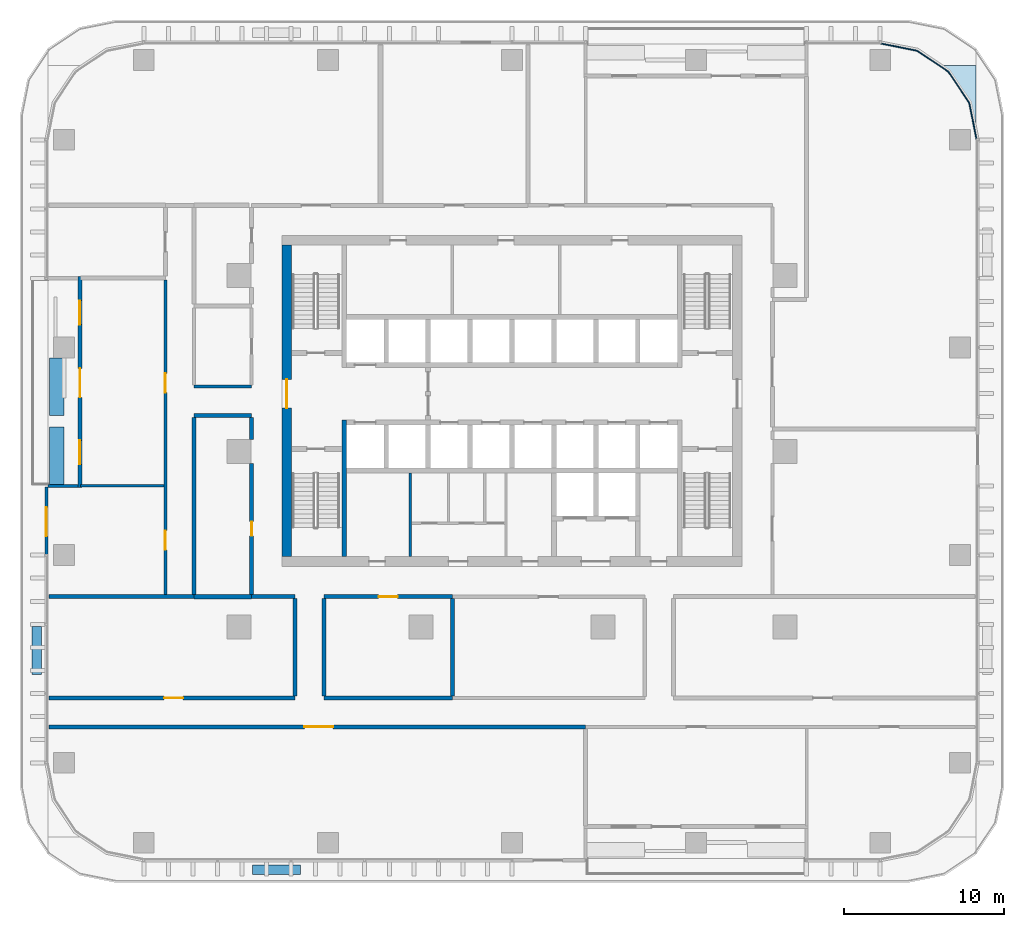
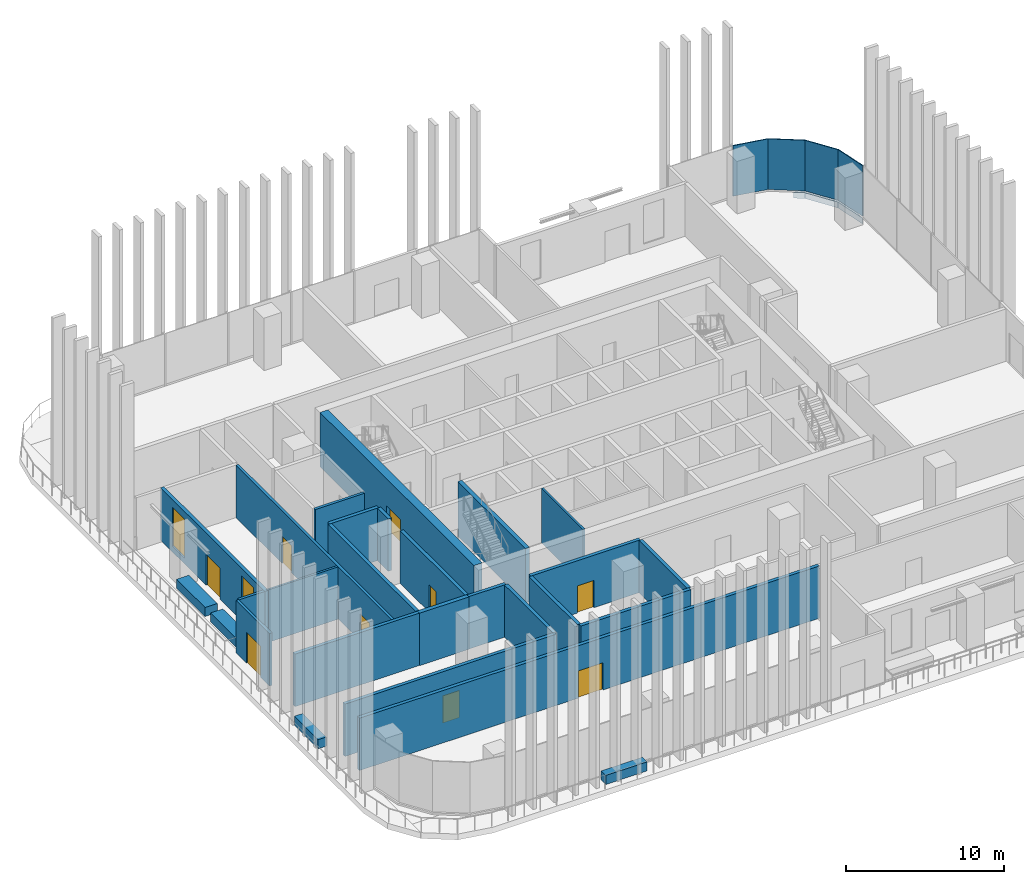
# One storey, part 7 of 18: 27 walls, 9 doors, 2 windows, 1 plate, 1 slab, 11 openings, 1 element without a shape of its own.
"""IFC4 building model written with IfcOpenShell, lengths in metres."""

from ifc_helpers import new_model, si_unit, direction, frame, frame_2d, origin, place, context, subcontext, project, spatial, polyline, rectangle, outline, extrude, material, layer, layer_set, type_object, element, fill, aggregate, save


model = new_model("IFC4")

# Units and contexts
model_context = context("Model", 3, precision=1e-05, world=origin(), true_north=direction((0.0, 1.0)))
body_context = subcontext(model_context, "Body", "Model", "MODEL_VIEW")
ifc_project = project(units=[si_unit("LENGTHUNIT", "METRE"), si_unit("AREAUNIT", "SQUARE_METRE"), si_unit("VOLUMEUNIT", "CUBIC_METRE"), si_unit("PLANEANGLEUNIT", "RADIAN"), si_unit("MASSUNIT", "GRAM", prefix="KILO")], contexts=[model_context])

# Site, building, storey
site_placement = place(None, origin())
site = spatial("IfcSite", under=ifc_project, at=site_placement, CompositionType="ELEMENT")
building_placement = place(site_placement, origin())
building = spatial("IfcBuilding", under=site, at=building_placement, Name="Mopane Tessera Tower", CompositionType="ELEMENT")
storey_placement = place(building_placement, frame((0.0, 0.0, 94.60009765625)))
storey = spatial("IfcBuildingStorey", under=building, at=storey_placement, Name="L18", CompositionType="ELEMENT", Elevation=94.60009765625)

# Curtain wall, plate
ifc_material_1 = material(Name="Aluminium frame", Category="aluminium")
curtain_wall_type = type_object("IfcCurtainWallType", Name="Lower tower unitised wall", PredefinedType="NOTDEFINED", material=ifc_material_1)
curtain_wall_placement = place(storey_placement, origin())
curtain_wall = element("IfcCurtainWall", 1, at=curtain_wall_placement, inside=storey, type_object=curtain_wall_type, Name="e:cw:L18:CE", PredefinedType="NOTDEFINED")
ifc_material_2 = material(Name="Clear laminated glass", Category="glass")
ifc_layer_1 = layer(ifc_material_2, 0.070068359375)
ifc_layer_set_1 = layer_set([ifc_layer_1], Name="Clear laminated glass")
plate_type = type_object("IfcPlateType", Name="Laminated glazed unit 70", PredefinedType="CURTAIN_PANEL", material=ifc_layer_set_1)
plate_placement = place(storey_placement, frame((0.0, 0.0, 0.139892578125)))
plate = element("IfcPlate", 2, at=plate_placement, type_object=plate_type, Name="e:cw:L18:CE:pn", PredefinedType="CURTAIN_PANEL", context=body_context, shape_type="SweptSolid", body=[
    extrude(outline(polyline([(29.050048828125, 19.5), (28.59326171875, 21.796142578125), (27.292724609375, 23.74267578125), (25.34619140625, 25.043212890625), (23.050048828125, 25.5), (23.050048828125, 25.570068359375), (25.372802734375, 25.10791015625), (27.342041015625, 23.792236328125), (28.657958984375, 21.822998046875), (29.1201171875, 19.5), (29.050048828125, 19.5)])), origin(), (0.0, 0.0, 1.0), 3.909912109375),
])
aggregate(curtain_wall, [plate])

# Slab
ifc_material_3 = material(Name="Concrete C40/50", Category="concrete")
ifc_layer_2 = layer(ifc_material_3, 0.449951171875)
ifc_layer_set_2 = layer_set([ifc_layer_2], Name="Concrete C40/50")
slab_type = type_object("IfcSlabType", Name="Setback roof terrace slab 450 mm", PredefinedType="ROOF", material=ifc_layer_set_2)
slab_placement = place(storey_placement, frame((0.0, 0.0, -0.4501953125)))
element("IfcSlab", 3, at=slab_placement, inside=storey, type_object=slab_type, Name="Setback terrace slab L18", PredefinedType="ROOF", context=body_context, shape_type="SweptSolid", body=[
    extrude(outline(polyline([(29.050048828125, 19.5), (29.050048828125, 24.14990234375), (26.68310546875, 24.14990234375), (27.292724609375, 23.74267578125), (28.59326171875, 21.796142578125), (29.050048828125, 19.5)])), origin(), (0.0, 0.0, 1.0), 0.4501953125),
])

# Wall
ifc_material_4 = material(Name="Fire-rated gypsum board partition")
ifc_layer_3 = layer(ifc_material_4, 0.14990234375)
ifc_layer_set_3 = layer_set([ifc_layer_3], Name="Fire-rated gypsum board partition")
wall_type_1 = type_object("IfcWallType", Name="Core room partition 150 mm", PredefinedType="PARTITIONING", material=ifc_layer_set_3)
wall_1_placement = place(storey_placement, frame((-6.375, -6.60009765625, 0.0), z_axis=(0.0, 0.0, 1.0), x_axis=(0.0, 1.0, 0.0)))
element("IfcWall", 4, at=wall_1_placement, inside=storey, type_object=wall_type_1, Name="L18 Room partition", PredefinedType="PARTITIONING", context=body_context, shape_type="SweptSolid", body=[
    extrude(rectangle(XDim=5.25, YDim=0.14990234375, at=frame_2d((2.625, 0.0))), origin(), (0.0, 0.0, 1.0), 4.199951171875),
])

# Wall, opening, door
ifc_material_5 = material(Name="Concrete C70/85", Category="concrete")
ifc_layer_4 = layer(ifc_material_5, 0.60009765625)
ifc_layer_set_4 = layer_set([ifc_layer_4], Name="Concrete C70/85")
wall_type_2 = type_object("IfcWallType", Name="Core shear wall 600 mm", PredefinedType="SHEAR", material=ifc_layer_set_4)
wall_2_placement = place(storey_placement, frame((-14.10009765625, -6.60009765625, 0.0), z_axis=(0.0, 0.0, 1.0), x_axis=(0.0, 1.0, 0.0)))
wall_2 = element("IfcWall", 5, at=wall_2_placement, inside=storey, type_object=wall_type_2, Name="L18 Core wall west", PredefinedType="SHEAR", context=body_context, shape_type="SweptSolid", body=[
    extrude(rectangle(XDim=19.5, YDim=0.60009765625, at=frame_2d((9.75, 0.0))), origin(), (0.0, 0.0, 1.0), 4.199951171875),
])
opening_1_placement = place(wall_2_placement, frame((9.300048828125, 0.0, 0.0)))
opening_1 = element("IfcOpeningElement", 6, at=opening_1_placement, cuts=wall_2, Name="Opening SD2", PredefinedType="OPENING", context=body_context, shape_type="SweptSolid", body=[
    extrude(rectangle(XDim=1.800048828125, YDim=2.10009765625, at=frame_2d((0.89990234375, 1.050048828125))), frame((0.0, 0.31201171875, 0.0), z_axis=(0.0, -1.0, 0.0), x_axis=(1.0, 0.0, 0.0)), (0.0, 0.0, 1.0), 0.6240234375),
])
ifc_material_6 = material(Name="Steel fire door", Category="steel")
door_type_1 = type_object("IfcDoorType", Name="Core entrance double door 1800 x 2100", OperationType="DOUBLE_DOOR_SINGLE_SWING", PredefinedType="DOOR", material=ifc_material_6)
door_1_placement = place(opening_1_placement, origin())
door_1 = element("IfcDoor", 7, at=door_1_placement, inside=storey, type_object=door_type_1, Name="L18 Core entrance door west", OperationType="DOUBLE_DOOR_SINGLE_SWING", OverallHeight=2.10009765625, OverallWidth=1.800048828125, PredefinedType="DOOR", context=body_context, shape_type="SweptSolid", body=[
    extrude(rectangle(XDim=1.800048828125, YDim=2.10009765625, at=frame_2d((0.89990234375, 1.050048828125))), frame((0.0, 0.02490234375, 0.0), z_axis=(0.0, -1.0, 0.0), x_axis=(1.0, 0.0, 0.0)), (0.0, 0.0, 1.0), 0.050048828125),
])
fill(opening_1, door_1)

# Walls
ifc_material_7 = material(Name="Concrete C60/75", Category="concrete")
ifc_layer_5 = layer(ifc_material_7, 0.300048828125)
ifc_layer_set_5 = layer_set([ifc_layer_5], Name="Concrete C60/75")
wall_type_3 = type_object("IfcWallType", Name="Core spine wall 300 mm", PredefinedType="SHEAR", material=ifc_layer_set_5)
wall_3_placement = place(storey_placement, frame((-10.5, -6.60009765625, 0.0), z_axis=(0.0, 0.0, 1.0), x_axis=(0.0, 1.0, 0.0)))
element("IfcWall", 8, at=wall_3_placement, inside=storey, type_object=wall_type_3, Name="L18 Core spine wall", PredefinedType="SHEAR", context=body_context, shape_type="SweptSolid", body=[
    extrude(rectangle(XDim=8.550048828125, YDim=0.300048828125, at=frame_2d((4.27490234375, 0.0))), origin(), (0.0, 0.0, 1.0), 4.199951171875),
])
ifc_material_8 = material(Name="Gypsum board on steel studs, two layers each face, mineral wool infill", Category="steel")
ifc_layer_6 = layer(ifc_material_8, 0.199951171875)
ifc_layer_set_6 = layer_set([ifc_layer_6], Name="Gypsum board on steel studs, two layers each face, mineral wool infill")
wall_type_4 = type_object("IfcWallType", Name="Gypsum board corridor wall 200, rated EI 60", PredefinedType="PARTITIONING", material=ifc_layer_set_6)
wall_4_placement = place(storey_placement, frame((-19.89990234375, 4.050048828125, 0.0), z_axis=(0.0, 0.0, 1.0), x_axis=(1.0, 0.0, 0.0)))
element("IfcWall", 9, at=wall_4_placement, inside=storey, type_object=wall_type_4, Name="Partition L18:015", PredefinedType="PARTITIONING", context=body_context, shape_type="SweptSolid", body=[
    extrude(rectangle(XDim=3.599853515625, YDim=0.199951171875, at=frame_2d((1.7998046875, 0.0))), origin(), (0.0, 0.0, 1.0), 4.0498046875),
])

# Wall, openings, doors
wall_5_placement = place(storey_placement, frame((-21.699951171875, -8.97509765625, 0.0), z_axis=(0.0, 0.0, 1.0), x_axis=(0.0, 1.0, 0.0)))
wall_5 = element("IfcWall", 10, at=wall_5_placement, inside=storey, type_object=wall_type_4, Name="Partition L18:024", PredefinedType="PARTITIONING", context=body_context, shape_type="SweptSolid", body=[
    extrude(rectangle(XDim=19.68505859375, YDim=0.199951171875, at=frame_2d((9.842529296875, 0.0))), origin(), (0.0, 0.0, 1.0), 4.0498046875),
])
opening_2_placement = place(wall_5_placement, frame((2.804931640625, 0.0, 0.0)))
opening_2 = element("IfcOpeningElement", 11, at=opening_2_placement, cuts=wall_5, Name="Opening L18-04", PredefinedType="OPENING", context=body_context, shape_type="SweptSolid", body=[
    extrude(rectangle(XDim=1.199951171875, YDim=2.10009765625, at=frame_2d((0.60009765625, 1.050048828125))), frame((0.0, 0.112060546875, 0.0), z_axis=(0.0, -1.0, 0.0), x_axis=(1.0, 0.0, 0.0)), (0.0, 0.0, 1.0), 0.223876953125),
])
opening_3_placement = place(wall_5_placement, frame((12.6474609375, 0.0, 0.0)))
opening_3 = element("IfcOpeningElement", 12, at=opening_3_placement, cuts=wall_5, Name="Opening L18-15", PredefinedType="OPENING", context=body_context, shape_type="SweptSolid", body=[
    extrude(rectangle(XDim=1.199951171875, YDim=2.10009765625, at=frame_2d((0.60009765625, 1.050048828125))), frame((0.0, 0.112060546875, 0.0), z_axis=(0.0, -1.0, 0.0), x_axis=(1.0, 0.0, 0.0)), (0.0, 0.0, 1.0), 0.223876953125),
])
ifc_material_9 = material(Name="Timber veneered steel-framed fire door", Category="steel")
door_type_2 = type_object("IfcDoorType", Name="Fire door FD60 1200 x 2100", OperationType="SINGLE_SWING_LEFT", PredefinedType="DOOR", material=ifc_material_9)
door_2_placement = place(opening_2_placement, origin())
door_2 = element("IfcDoor", 13, at=door_2_placement, inside=storey, type_object=door_type_2, Name="Door L18-04", ObjectType="D15A", OperationType="SINGLE_SWING_LEFT", OverallHeight=2.10009765625, OverallWidth=1.199951171875, PredefinedType="DOOR", context=body_context, shape_type="SweptSolid", body=[
    extrude(rectangle(XDim=1.199951171875, YDim=2.10009765625, at=frame_2d((0.60009765625, 1.050048828125))), frame((0.0, 0.02490234375, 0.0), z_axis=(0.0, -1.0, 0.0), x_axis=(1.0, 0.0, 0.0)), (0.0, 0.0, 1.0), 0.050048828125),
])
fill(opening_2, door_2)
door_3_placement = place(opening_3_placement, origin())
door_3 = element("IfcDoor", 14, at=door_3_placement, inside=storey, type_object=door_type_2, Name="Door L18-15", ObjectType="D15A", OperationType="SINGLE_SWING_RIGHT", OverallHeight=2.10009765625, OverallWidth=1.199951171875, PredefinedType="DOOR", context=body_context, shape_type="SweptSolid", body=[
    extrude(rectangle(XDim=1.199951171875, YDim=2.10009765625, at=frame_2d((0.60009765625, 1.050048828125))), frame((0.0, 0.02490234375, 0.0), z_axis=(0.0, -1.0, 0.0), x_axis=(1.0, 0.0, 0.0)), (0.0, 0.0, 1.0), 0.050048828125),
])
fill(opening_3, door_3)

# Walls
ifc_material_10 = material(Name="Gypsum board on steel studs, mineral wool infill", Category="steel")
ifc_layer_7 = layer(ifc_material_10, 0.14990234375)
ifc_layer_set_7 = layer_set([ifc_layer_7], Name="Gypsum board on steel studs, mineral wool infill")
wall_type_5 = type_object("IfcWallType", Name="Gypsum board partition 150, rated EI 60", PredefinedType="PARTITIONING", material=ifc_layer_set_7)
wall_6_placement = place(storey_placement, frame((-27.0, -2.1650390625, 0.0), z_axis=(0.0, 0.0, 1.0), x_axis=(1.0, 0.0, 0.0)))
element("IfcWall", 15, at=wall_6_placement, inside=storey, type_object=wall_type_5, Name="Partition L18:012", PredefinedType="PARTITIONING", context=body_context, shape_type="SweptSolid", body=[
    extrude(rectangle(XDim=5.199951171875, YDim=0.14990234375, at=frame_2d((2.60009765625, 0.0))), origin(), (0.0, 0.0, 1.0), 4.0498046875),
])
ifc_material_11 = material(Name="Reinforced concrete C32/40 with waterproofing", Category="concrete")
ifc_layer_8 = layer(ifc_material_11, 0.60009765625)
ifc_layer_set_8 = layer_set([ifc_layer_8], Name="Reinforced concrete C32/40 with waterproofing")
wall_type_6 = type_object("IfcWallType", Name="Planter trough 3000 x 600", PredefinedType="STANDARD", material=ifc_layer_set_8)
for number, where, z_axis, x_axis, name in (
    (16, (-16.251953125, -26.199951171875, 0.0), (0.0, 0.0, 1.0), (1.0, 0.0, 0.0), "e:sp:L18:S0"),
    (17, (-29.75, -10.97998046875, 0.0), (0.0, 0.0, 1.0), (0.0, -1.0, 0.0), "e:sp:L18:W1"),
):
    element("IfcWall", number, at=place(storey_placement, frame(where, z_axis=z_axis, x_axis=x_axis)), inside=storey, type_object=wall_type_6, Name=name, PredefinedType="STANDARD", context=body_context, shape_type="SweptSolid", body=[
        extrude(rectangle(XDim=3.0, YDim=0.60009765625, at=frame_2d((1.5, 0.0))), origin(), (0.0, 0.0, 1.0), 0.699951171875),
    ])
ifc_material_12 = material(Name="Reinforced concrete C32/40 with waterproofing", Category="concrete")
ifc_layer_9 = layer(ifc_material_12, 0.89990234375)
ifc_layer_set_9 = layer_set([ifc_layer_9], Name="Reinforced concrete C32/40 with waterproofing")
wall_type_7 = type_object("IfcWallType", Name="Planter trough 3600 x 900", PredefinedType="STANDARD", material=ifc_layer_set_9)
for number, where, z_axis, x_axis, name in (
    (18, (-28.5, 5.830078125, 0.0), (0.0, 0.0, 1.0), (0.0, -1.0, 0.0), "e:nw:L18:N2:pl0"),
    (19, (-28.5, 1.533447265625, 0.0), (0.0, 0.0, 1.0), (0.0, -1.0, 0.0), "e:nw:L18:N2:pl1"),
):
    element("IfcWall", number, at=place(storey_placement, frame(where, z_axis=z_axis, x_axis=x_axis)), inside=storey, type_object=wall_type_7, Name=name, PredefinedType="STANDARD", context=body_context, shape_type="SweptSolid", body=[
        extrude(rectangle(XDim=3.60009765625, YDim=0.89990234375, at=frame_2d((1.800048828125, 0.0))), origin(), (0.0, 0.0, 1.0), 0.699951171875),
    ])
ifc_material_13 = material(Name="Plastered concrete blockwork C20/25", Category="masonry")
ifc_layer_10 = layer(ifc_material_13, 0.300048828125)
ifc_layer_set_10 = layer_set([ifc_layer_10], Name="Plastered concrete blockwork C20/25")
wall_type_8 = type_object("IfcWallType", Name="Plastered blockwork separation wall 300, rated EI 120", PredefinedType="PARTITIONING", material=ifc_layer_set_10)
wall_7_placement = place(storey_placement, frame((-19.89990234375, -9.10009765625, 0.0), z_axis=(0.0, 0.0, 1.0), x_axis=(1.0, 0.0, 0.0)))
element("IfcWall", 20, at=wall_7_placement, inside=storey, type_object=wall_type_8, Name="Partition L18:011", PredefinedType="PARTITIONING", context=body_context, shape_type="SweptSolid", body=[
    extrude(rectangle(XDim=3.599853515625, YDim=0.300048828125, at=frame_2d((1.7998046875, 0.0))), origin(), (0.0, 0.0, 1.0), 4.0498046875),
])

# Wall, opening, door
ifc_material_14 = material(Name="Plastered concrete blockwork C20/25", Category="masonry")
ifc_layer_11 = layer(ifc_material_14, 0.25)
ifc_layer_set_11 = layer_set([ifc_layer_11], Name="Plastered concrete blockwork C20/25")
wall_type_9 = type_object("IfcWallType", Name="Plastered blockwork wall 250, rated EI 120", PredefinedType="PARTITIONING", material=ifc_layer_set_11)
wall_8_placement = place(storey_placement, frame((-29.0, -17.25, 0.0), z_axis=(0.0, 0.0, 1.0), x_axis=(1.0, 0.0, 0.0)))
wall_8 = element("IfcWall", 21, at=wall_8_placement, inside=storey, type_object=wall_type_9, Name="Partition L18:001", PredefinedType="PARTITIONING", context=body_context, shape_type="SweptSolid", body=[
    extrude(rectangle(XDim=33.610107421875, YDim=0.25, at=frame_2d((16.80517578125, 0.0))), origin(), (0.0, 0.0, 1.0), 4.0498046875),
])
opening_4_placement = place(wall_8_placement, frame((16.0048828125, 0.0, 0.0)))
opening_4 = element("IfcOpeningElement", 22, at=opening_4_placement, cuts=wall_8, Name="Opening L18-14", PredefinedType="OPENING", context=body_context, shape_type="SweptSolid", body=[
    extrude(rectangle(XDim=1.800048828125, YDim=2.10009765625, at=frame_2d((0.89990234375, 1.050048828125))), frame((0.0, 0.136962890625, 0.0), z_axis=(0.0, -1.0, 0.0), x_axis=(1.0, 0.0, 0.0)), (0.0, 0.0, 1.0), 0.27392578125),
])
ifc_material_15 = material(Name="Timber veneered steel-framed fire door", Category="steel")
door_type_3 = type_object("IfcDoorType", Name="Fire door pair FD120 1800 x 2100", OperationType="DOUBLE_DOOR_SINGLE_SWING", PredefinedType="DOOR", material=ifc_material_15)
door_4_placement = place(opening_4_placement, origin())
door_4 = element("IfcDoor", 23, at=door_4_placement, inside=storey, type_object=door_type_3, Name="Door L18-14", ObjectType="D20B", OperationType="DOUBLE_DOOR_SINGLE_SWING", OverallHeight=2.10009765625, OverallWidth=1.800048828125, PredefinedType="DOOR", context=body_context, shape_type="SweptSolid", body=[
    extrude(rectangle(XDim=1.800048828125, YDim=2.10009765625, at=frame_2d((0.89990234375, 1.050048828125))), frame((0.0, 0.02490234375, 0.0), z_axis=(0.0, -1.0, 0.0), x_axis=(1.0, 0.0, 0.0)), (0.0, 0.0, 1.0), 0.050048828125),
])
fill(opening_4, door_4)

wall_9_placement = place(storey_placement, frame((-29.0, -15.449951171875, 0.0), z_axis=(0.0, 0.0, 1.0), x_axis=(1.0, 0.0, 0.0)))
wall_9 = element("IfcWall", 24, at=wall_9_placement, inside=storey, type_object=wall_type_9, Name="Partition L18:003", PredefinedType="PARTITIONING", context=body_context, shape_type="SweptSolid", body=[
    extrude(rectangle(XDim=15.429931640625, YDim=0.25, at=frame_2d((7.71484375, 0.0))), origin(), (0.0, 0.0, 1.0), 4.0498046875),
])
opening_5_placement = place(wall_9_placement, frame((7.215087890625, 0.0, 0.0)))
opening_5 = element("IfcOpeningElement", 25, at=opening_5_placement, cuts=wall_9, Name="Opening L18-09", PredefinedType="OPENING", context=body_context, shape_type="SweptSolid", body=[
    extrude(rectangle(XDim=1.199951171875, YDim=2.10009765625, at=frame_2d((0.60009765625, 1.050048828125))), frame((0.0, 0.136962890625, 0.0), z_axis=(0.0, -1.0, 0.0), x_axis=(1.0, 0.0, 0.0)), (0.0, 0.0, 1.0), 0.27392578125),
])
ifc_material_16 = material(Name="Timber veneered steel-framed fire door", Category="steel")
door_type_4 = type_object("IfcDoorType", Name="Fire door FD120 1200 x 2100", OperationType="SINGLE_SWING_LEFT", PredefinedType="DOOR", material=ifc_material_16)
door_5_placement = place(opening_5_placement, origin())
door_5 = element("IfcDoor", 26, at=door_5_placement, inside=storey, type_object=door_type_4, Name="Door L18-09", ObjectType="D15B", OperationType="SINGLE_SWING_LEFT", OverallHeight=2.10009765625, OverallWidth=1.199951171875, PredefinedType="DOOR", context=body_context, shape_type="SweptSolid", body=[
    extrude(rectangle(XDim=1.199951171875, YDim=2.10009765625, at=frame_2d((0.60009765625, 1.050048828125))), frame((0.0, 0.02490234375, 0.0), z_axis=(0.0, -1.0, 0.0), x_axis=(1.0, 0.0, 0.0)), (0.0, 0.0, 1.0), 0.050048828125),
])
fill(opening_5, door_5)

# Walls
wall_10_placement = place(storey_placement, frame((-11.77001953125, -15.449951171875, 0.0), z_axis=(0.0, 0.0, 1.0), x_axis=(1.0, 0.0, 0.0)))
element("IfcWall", 27, at=wall_10_placement, inside=storey, type_object=wall_type_9, Name="Partition L18:004", PredefinedType="PARTITIONING", context=body_context, shape_type="SweptSolid", body=[
    extrude(rectangle(XDim=8.034912109375, YDim=0.25, at=frame_2d((4.017578125, 0.0))), origin(), (0.0, 0.0, 1.0), 4.0498046875),
])
wall_11_placement = place(storey_placement, frame((-29.0, -9.10009765625, 0.0), z_axis=(0.0, 0.0, 1.0), x_axis=(1.0, 0.0, 0.0)))
element("IfcWall", 28, at=wall_11_placement, inside=storey, type_object=wall_type_9, Name="Partition L18:007", PredefinedType="PARTITIONING", context=body_context, shape_type="SweptSolid", body=[
    extrude(rectangle(XDim=9.10009765625, YDim=0.25, at=frame_2d((4.550048828125, 0.0))), origin(), (0.0, 0.0, 1.0), 4.0498046875),
])
wall_12_placement = place(storey_placement, frame((-16.300048828125, -9.10009765625, 0.0), z_axis=(0.0, 0.0, 1.0), x_axis=(1.0, 0.0, 0.0)))
element("IfcWall", 29, at=wall_12_placement, inside=storey, type_object=wall_type_9, Name="Partition L18:008", PredefinedType="PARTITIONING", context=body_context, shape_type="SweptSolid", body=[
    extrude(rectangle(XDim=2.72998046875, YDim=0.25, at=frame_2d((1.364990234375, 0.0))), origin(), (0.0, 0.0, 1.0), 4.0498046875),
])

# Wall, opening, door
wall_13_placement = place(storey_placement, frame((-11.77001953125, -9.10009765625, 0.0), z_axis=(0.0, 0.0, 1.0), x_axis=(1.0, 0.0, 0.0)))
wall_13 = element("IfcWall", 30, at=wall_13_placement, inside=storey, type_object=wall_type_9, Name="Partition L18:009", PredefinedType="PARTITIONING", context=body_context, shape_type="SweptSolid", body=[
    extrude(rectangle(XDim=8.034912109375, YDim=0.25, at=frame_2d((4.017578125, 0.0))), origin(), (0.0, 0.0, 1.0), 4.0498046875),
])
opening_6_placement = place(wall_13_placement, frame((3.41748046875, 0.0, 0.0)))
opening_6 = element("IfcOpeningElement", 31, at=opening_6_placement, cuts=wall_13, Name="Opening L18-07", PredefinedType="OPENING", context=body_context, shape_type="SweptSolid", body=[
    extrude(rectangle(XDim=1.199951171875, YDim=2.10009765625, at=frame_2d((0.60009765625, 1.050048828125))), frame((0.0, 0.136962890625, 0.0), z_axis=(0.0, -1.0, 0.0), x_axis=(1.0, 0.0, 0.0)), (0.0, 0.0, 1.0), 0.27392578125),
])
door_6_placement = place(opening_6_placement, origin())
door_6 = element("IfcDoor", 32, at=door_6_placement, inside=storey, type_object=door_type_4, Name="Door L18-07", ObjectType="D15B", OperationType="SINGLE_SWING_RIGHT", OverallHeight=2.10009765625, OverallWidth=1.199951171875, PredefinedType="DOOR", context=body_context, shape_type="SweptSolid", body=[
    extrude(rectangle(XDim=1.199951171875, YDim=2.10009765625, at=frame_2d((0.60009765625, 1.050048828125))), frame((0.0, 0.02490234375, 0.0), z_axis=(0.0, -1.0, 0.0), x_axis=(1.0, 0.0, 0.0)), (0.0, 0.0, 1.0), 0.050048828125),
])
fill(opening_6, door_6)

# Walls
wall_14_placement = place(storey_placement, frame((-19.89990234375, 2.25, 0.0), z_axis=(0.0, 0.0, 1.0), x_axis=(1.0, 0.0, 0.0)))
element("IfcWall", 33, at=wall_14_placement, inside=storey, type_object=wall_type_9, Name="Partition L18:014", PredefinedType="PARTITIONING", context=body_context, shape_type="SweptSolid", body=[
    extrude(rectangle(XDim=3.599853515625, YDim=0.25, at=frame_2d((1.7998046875, 0.0))), origin(), (0.0, 0.0, 1.0), 4.0498046875),
])
wall_15_placement = place(storey_placement, frame((-19.89990234375, -8.949951171875, 0.0), z_axis=(0.0, 0.0, 1.0), x_axis=(0.0, 1.0, 0.0)))
element("IfcWall", 34, at=wall_15_placement, inside=storey, type_object=wall_type_9, Name="Partition L18:027", PredefinedType="PARTITIONING", context=body_context, shape_type="SweptSolid", body=[
    extrude(rectangle(XDim=11.074951171875, YDim=0.25, at=frame_2d((5.53759765625, 0.0))), origin(), (0.0, 0.0, 1.0), 4.0498046875),
])

# Wall, opening, door
wall_16_placement = place(storey_placement, frame((-16.300048828125, -8.949951171875, 0.0), z_axis=(0.0, 0.0, 1.0), x_axis=(0.0, 1.0, 0.0)))
wall_16 = element("IfcWall", 35, at=wall_16_placement, inside=storey, type_object=wall_type_9, Name="Partition L18:030", PredefinedType="PARTITIONING", context=body_context, shape_type="SweptSolid", body=[
    extrude(rectangle(XDim=8.199951171875, YDim=0.25, at=frame_2d((4.10009765625, 0.0))), origin(), (0.0, 0.0, 1.0), 4.0498046875),
])
opening_7_placement = place(wall_16_placement, frame((3.64990234375, 0.0, 0.0)))
opening_7 = element("IfcOpeningElement", 36, at=opening_7_placement, cuts=wall_16, Name="Opening L18-06", PredefinedType="OPENING", context=body_context, shape_type="SweptSolid", body=[
    extrude(rectangle(XDim=0.89990234375, YDim=2.10009765625, at=frame_2d((0.449951171875, 1.050048828125))), frame((0.0, 0.136962890625, 0.0), z_axis=(0.0, -1.0, 0.0), x_axis=(1.0, 0.0, 0.0)), (0.0, 0.0, 1.0), 0.27392578125),
])
ifc_material_17 = material(Name="Timber veneered steel-framed fire door", Category="steel")
door_type_5 = type_object("IfcDoorType", Name="Fire door FD120 900 x 2100", OperationType="SINGLE_SWING_LEFT", PredefinedType="DOOR", material=ifc_material_17)
door_7_placement = place(opening_7_placement, origin())
door_7 = element("IfcDoor", 37, at=door_7_placement, inside=storey, type_object=door_type_5, Name="Door L18-06", ObjectType="D10B", OperationType="SINGLE_SWING_RIGHT", OverallHeight=2.10009765625, OverallWidth=0.89990234375, PredefinedType="DOOR", context=body_context, shape_type="SweptSolid", body=[
    extrude(rectangle(XDim=0.89990234375, YDim=2.10009765625, at=frame_2d((0.449951171875, 1.050048828125))), frame((0.0, 0.02490234375, 0.0), z_axis=(0.0, -1.0, 0.0), x_axis=(1.0, 0.0, 0.0)), (0.0, 0.0, 1.0), 0.050048828125),
])
fill(opening_7, door_7)

# Walls
wall_17_placement = place(storey_placement, frame((-16.300048828125, 0.75, 0.0), z_axis=(0.0, 0.0, 1.0), x_axis=(0.0, 1.0, 0.0)))
element("IfcWall", 38, at=wall_17_placement, inside=storey, type_object=wall_type_9, Name="Partition L18:031", PredefinedType="PARTITIONING", context=body_context, shape_type="SweptSolid", body=[
    extrude(rectangle(XDim=1.375, YDim=0.25, at=frame_2d((0.6875, 0.0))), origin(), (0.0, 0.0, 1.0), 4.0498046875),
])
for number, where, z_axis, x_axis, name in (
    (39, (-13.570068359375, -15.324951171875, 0.0), (0.0, 0.0, 1.0), (0.0, 1.0, 0.0), "Partition L18:034"),
    (40, (-11.77001953125, -15.324951171875, 0.0), (0.0, 0.0, 1.0), (0.0, 1.0, 0.0), "Partition L18:035"),
    (41, (-3.735107421875, -15.324951171875, 0.0), (0.0, 0.0, 1.0), (0.0, 1.0, 0.0), "Partition L18:037"),
):
    element("IfcWall", number, at=place(storey_placement, frame(where, z_axis=z_axis, x_axis=x_axis)), inside=storey, type_object=wall_type_9, Name=name, PredefinedType="PARTITIONING", context=body_context, shape_type="SweptSolid", body=[
        extrude(rectangle(XDim=6.099853515625, YDim=0.25, at=frame_2d((3.0498046875, 0.0))), origin(), (0.0, 0.0, 1.0), 4.0498046875),
    ])
ifc_material_18 = material(Name="Blockwork with glazed tile facing", Category="masonry")
ifc_layer_12 = layer(ifc_material_18, 0.199951171875)
ifc_layer_set_12 = layer_set([ifc_layer_12], Name="Blockwork with glazed tile facing")
wall_type_10 = type_object("IfcWallType", Name="Terrace cheek wall 200", PredefinedType="STANDARD", material=ifc_layer_set_12)
wall_18_placement = place(storey_placement, frame((-29.050048828125, -2.166748046875, 0.0), z_axis=(0.0, 0.0, 1.0), x_axis=(1.0, 0.0, 0.0)))
element("IfcWall", 42, at=wall_18_placement, inside=storey, type_object=wall_type_10, Name="e:nw:L18:N2:cheekb", PredefinedType="STANDARD", context=body_context, shape_type="SweptSolid", body=[
    extrude(rectangle(XDim=1.875, YDim=0.199951171875, at=frame_2d((0.9375, 0.0))), origin(), (0.0, 0.0, 1.0), 4.0498046875),
])

# Wall, openings, windows, door
ifc_material_19 = material(Name="Blockwork with turquoise glazed tile facing", Category="masonry")
ifc_layer_13 = layer(ifc_material_19, 0.25)
ifc_layer_set_13 = layer_set([ifc_layer_13], Name="Blockwork with turquoise glazed tile facing")
wall_type_11 = type_object("IfcWallType", Name="Tile-clad external wall 250, turquoise", PredefinedType="STANDARD", material=ifc_layer_set_13)
wall_19_placement = place(storey_placement, frame((-27.050048828125, 10.933349609375, 0.0), z_axis=(0.0, 0.0, 1.0), x_axis=(0.0, -1.0, 0.0)))
wall_19 = element("IfcWall", 43, at=wall_19_placement, inside=storey, type_object=wall_type_11, Name="e:nw:L18:N2:back", PredefinedType="STANDARD", context=body_context, shape_type="SweptSolid", body=[
    extrude(rectangle(XDim=13.199951171875, YDim=0.25, at=frame_2d((6.60009765625, 0.0))), origin(), (0.0, 0.0, 1.0), 4.0498046875),
])
opening_8_placement = place(wall_19_placement, frame((1.5, 0.0, 0.449951171875)))
opening_8 = element("IfcOpeningElement", 44, at=opening_8_placement, cuts=wall_19, Name="Opening NW182A", PredefinedType="OPENING", context=body_context, shape_type="SweptSolid", body=[
    extrude(rectangle(XDim=1.5, YDim=3.0, at=frame_2d((0.75, 1.5))), frame((0.0, 0.136962890625, 0.0), z_axis=(0.0, -1.0, 0.0), x_axis=(1.0, 0.0, 0.0)), (0.0, 0.0, 1.0), 0.27392578125),
])
opening_9_placement = place(wall_19_placement, frame((5.75, 0.0, 0.0)))
opening_9 = element("IfcOpeningElement", 45, at=opening_9_placement, cuts=wall_19, Name="Opening ND182", PredefinedType="OPENING", context=body_context, shape_type="SweptSolid", body=[
    extrude(rectangle(XDim=1.800048828125, YDim=2.39990234375, at=frame_2d((0.89990234375, 1.199951171875))), frame((0.0, 0.136962890625, 0.0), z_axis=(0.0, -1.0, 0.0), x_axis=(1.0, 0.0, 0.0)), (0.0, 0.0, 1.0), 0.27392578125),
])
opening_10_placement = place(wall_19_placement, frame((10.25, 0.0, 0.449951171875)))
opening_10 = element("IfcOpeningElement", 46, at=opening_10_placement, cuts=wall_19, Name="Opening NW182B", PredefinedType="OPENING", context=body_context, shape_type="SweptSolid", body=[
    extrude(rectangle(XDim=1.5, YDim=3.0, at=frame_2d((0.75, 1.5))), frame((0.0, 0.136962890625, 0.0), z_axis=(0.0, -1.0, 0.0), x_axis=(1.0, 0.0, 0.0)), (0.0, 0.0, 1.0), 0.27392578125),
])
ifc_material_20 = material(Name="Clear laminated glass", Category="glass")
window_type = type_object("IfcWindowType", Name="Fixed window 1500 x 3000", PartitioningType="SINGLE_PANEL", PredefinedType="WINDOW", material=ifc_material_20)
window_1_placement = place(opening_8_placement, origin())
window_1 = element("IfcWindow", 47, at=window_1_placement, inside=storey, type_object=window_type, Name="e:nw:L18:N2:win0", OverallHeight=3.0, OverallWidth=1.5, PartitioningType="SINGLE_PANEL", PredefinedType="WINDOW", context=body_context, shape_type="SweptSolid", body=[
    extrude(rectangle(XDim=1.5, YDim=3.0, at=frame_2d((0.75, 1.5))), frame((0.0, 0.030029296875, 0.0), z_axis=(0.0, -1.0, 0.0), x_axis=(1.0, 0.0, 0.0)), (0.0, 0.0, 1.0), 0.06005859375),
])
fill(opening_8, window_1)
window_2_placement = place(opening_10_placement, origin())
window_2 = element("IfcWindow", 48, at=window_2_placement, inside=storey, type_object=window_type, Name="e:nw:L18:N2:win2", OverallHeight=3.0, OverallWidth=1.5, PartitioningType="SINGLE_PANEL", PredefinedType="WINDOW", context=body_context, shape_type="SweptSolid", body=[
    extrude(rectangle(XDim=1.5, YDim=3.0, at=frame_2d((0.75, 1.5))), frame((0.0, 0.030029296875, 0.0), z_axis=(0.0, -1.0, 0.0), x_axis=(1.0, 0.0, 0.0)), (0.0, 0.0, 1.0), 0.06005859375),
])
fill(opening_10, window_2)
ifc_material_21 = material(Name="Aluminium and clear glass", Category="aluminium")
door_type_6 = type_object("IfcDoorType", Name="Terrace double door 1800 x 2400", OperationType="DOUBLE_DOOR_SINGLE_SWING", PredefinedType="DOOR", material=ifc_material_21)
door_8_placement = place(opening_9_placement, origin())
door_8 = element("IfcDoor", 49, at=door_8_placement, inside=storey, type_object=door_type_6, Name="e:nw:L18:N2:door", ObjectType="D1", OperationType="DOUBLE_DOOR_SINGLE_SWING", OverallHeight=2.39990234375, OverallWidth=1.800048828125, PredefinedType="DOOR", context=body_context, shape_type="SweptSolid", body=[
    extrude(rectangle(XDim=1.800048828125, YDim=2.39990234375, at=frame_2d((0.89990234375, 1.199951171875))), frame((0.0, 0.02490234375, 0.0), z_axis=(0.0, -1.0, 0.0), x_axis=(1.0, 0.0, 0.0)), (0.0, 0.0, 1.0), 0.050048828125),
])
fill(opening_9, door_8)

# Wall, opening, door
ifc_material_22 = material(Name="Blockwork with glazed tile facing", Category="masonry")
ifc_layer_14 = layer(ifc_material_22, 0.199951171875)
ifc_layer_set_14 = layer_set([ifc_layer_14], Name="Blockwork with glazed tile facing")
wall_type_12 = type_object("IfcWallType", Name="Tile-clad portal wall 200", PredefinedType="STANDARD", material=ifc_layer_set_14)
wall_20_placement = place(storey_placement, frame((-29.14990234375, -2.2216796875, 0.0), z_axis=(0.0, 0.0, 1.0), x_axis=(0.0, -1.0, 0.0)))
wall_20 = element("IfcWall", 50, at=wall_20_placement, inside=storey, type_object=wall_type_12, Name="e:pw:L18:W", PredefinedType="STANDARD", context=body_context, shape_type="SweptSolid", body=[
    extrude(rectangle(XDim=4.223388671875, YDim=0.199951171875, at=frame_2d((2.11181640625, 0.0))), origin(), (0.0, 0.0, 1.0), 4.0498046875),
])
opening_11_placement = place(wall_20_placement, frame((1.294921875, 0.0, 0.0)))
opening_11 = element("IfcOpeningElement", 51, at=opening_11_placement, cuts=wall_20, Name="Opening TD18W", PredefinedType="OPENING", context=body_context, shape_type="SweptSolid", body=[
    extrude(rectangle(XDim=1.800048828125, YDim=2.39990234375, at=frame_2d((0.89990234375, 1.199951171875))), frame((0.0, 0.112060546875, 0.0), z_axis=(0.0, -1.0, 0.0), x_axis=(1.0, 0.0, 0.0)), (0.0, 0.0, 1.0), 0.223876953125),
])
door_9_placement = place(opening_11_placement, origin())
door_9 = element("IfcDoor", 52, at=door_9_placement, inside=storey, type_object=door_type_6, Name="e:pw:L18:W:door", ObjectType="D1", OperationType="DOUBLE_DOOR_SINGLE_SWING", OverallHeight=2.39990234375, OverallWidth=1.800048828125, PredefinedType="DOOR", context=body_context, shape_type="SweptSolid", body=[
    extrude(rectangle(XDim=1.800048828125, YDim=2.39990234375, at=frame_2d((0.89990234375, 1.199951171875))), frame((0.0, 0.02490234375, 0.0), z_axis=(0.0, -1.0, 0.0), x_axis=(1.0, 0.0, 0.0)), (0.0, 0.0, 1.0), 0.050048828125),
])
fill(opening_11, door_9)

save(model, "model.ifc")
